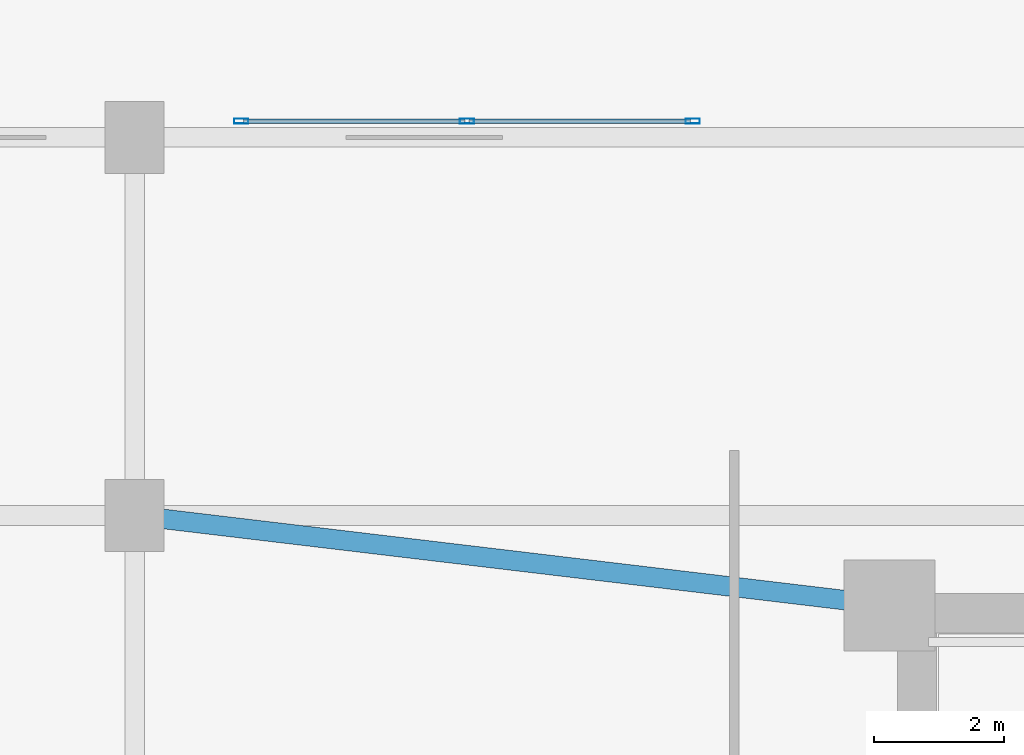
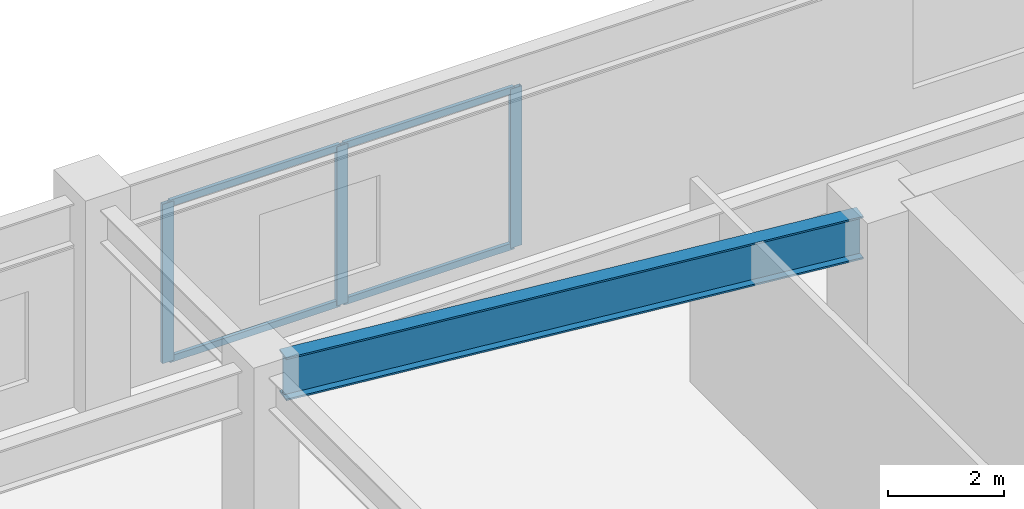
# One storey, part 2 of 10: 7 members, 1 beam, 1 element without a shape of its own.
"""IFC4 building model written with IfcOpenShell, lengths in metres."""

from ifc_helpers import new_model, si_unit, direction, frame, origin, origin_2d, place, context, subcontext, project, spatial, hollow_rectangle, i_section, extrude, material, layer, layer_set, material_profile, profile_set, type_object, element, aggregate, save


model = new_model("IFC4")

# Units and contexts
model_context = context("Model", 3, precision=1e-05, world=origin(), true_north=direction((0.0, 1.0)))
body_context = subcontext(model_context, "Body", "Model", "MODEL_VIEW")
ifc_project = project(units=[si_unit("LENGTHUNIT", "METRE"), si_unit("AREAUNIT", "SQUARE_METRE"), si_unit("VOLUMEUNIT", "CUBIC_METRE"), si_unit("PLANEANGLEUNIT", "RADIAN"), si_unit("MASSUNIT", "GRAM", prefix="KILO")], contexts=[model_context])

# Site, building, storey
site_placement = place(None, origin())
site = spatial("IfcSite", under=ifc_project, at=site_placement, CompositionType="ELEMENT")
building_placement = place(site_placement, origin())
building = spatial("IfcBuilding", under=site, at=building_placement, Name="Varnakorn Sky Granary", CompositionType="ELEMENT")
storey_placement = place(building_placement, frame((0.0, 0.0, 13.800048828125)))
storey = spatial("IfcBuildingStorey", under=building, at=storey_placement, Name="L03", CompositionType="ELEMENT", Elevation=13.800048828125)

# Beam
ifc_material_1 = material(Name="Steel S355JR", Category="steel")
ifc_material_profile_1 = material_profile(ifc_material_1, i_section(OverallWidth=0.300048828125, OverallDepth=0.89990234375, WebThickness=0.0185546875, FlangeThickness=0.034912109375, at=origin_2d()), Name="HE 900 B")
ifc_profile_set_1 = profile_set([ifc_material_profile_1], Name="Steel S355JR")
beam_type = type_object("IfcBeamType", Name="BM-PG-900", PredefinedType="BEAM", material=ifc_profile_set_1)
beam_placement = place(storey_placement, frame((-13.5830078125, 13.9501953125, 3.829833984375), z_axis=(0.992975027395, -0.118324109839, 0.0), x_axis=(0.118324109839, 0.992975027395, 0.0)))
element("IfcBeam", 1, at=beam_placement, inside=storey, type_object=beam_type, Name="Podium Core Tie Girder 1 L03", PredefinedType="BEAM", context=body_context, shape_type="SweptSolid", body=[
    extrude(i_section(OverallWidth=0.300048828125, OverallDepth=0.89990234375, WebThickness=0.0185546875, FlangeThickness=0.034912109375, at=origin_2d()), origin(), (0.0, 0.0, 1.0), 10.822021484375),
])

# Curtain wall, members
ifc_material_2 = material(Name="Anodised Bronze Aluminium Alloy 6063-T6", Category="aluminium")
ifc_layer = layer(ifc_material_2, 0.2099609375, Name="Anodised Bronze Aluminium Alloy 6063-T6")
ifc_layer_set = layer_set([ifc_layer], Name="Anodised Bronze Aluminium Alloy 6063-T6")
curtain_wall_type = type_object("IfcCurtainWallType", Name="CW-POD-2", PredefinedType="USERDEFINED", material=ifc_layer_set)
curtain_wall_placement = place(storey_placement, origin())
curtain_wall = element("IfcCurtainWall", 2, at=curtain_wall_placement, inside=storey, type_object=curtain_wall_type, Name="Unitised Curtain Wall CW2 CW-L03-P1", ObjectType="CURTAIN WALL", PredefinedType="USERDEFINED")
ifc_material_profile_2 = material_profile(ifc_material_2, hollow_rectangle(XDim=0.074951171875, YDim=0.219970703125, WallThickness=0.00390625, at=origin_2d()), Name="ALU MULL 75x220")
ifc_profile_set_2 = profile_set([ifc_material_profile_2], Name="Anodised Bronze Aluminium Alloy 6063-T6")
member_type_1 = type_object("IfcMemberType", Name="CW-POD-2-MULL", PredefinedType="MULLION", material=ifc_profile_set_2)
member_1_placement = place(storey_placement, frame((-12.362548828125, 20.050048828125, 0.0), z_axis=(0.0, 0.0, 1.0), x_axis=(0.0, 1.0, 0.0)))
member_1 = element("IfcMember", 3, at=member_1_placement, type_object=member_type_1, Name="CW2 mullion 1", PredefinedType="MULLION", context=body_context, shape_type="SweptSolid", body=[
    extrude(hollow_rectangle(XDim=0.074951171875, YDim=0.219970703125, WallThickness=0.00390625, at=origin_2d()), origin(), (0.0, 0.0, 1.0), 3.349853515625),
])
member_2_placement = place(storey_placement, frame((-8.89990234375, 20.050048828125, 0.0), z_axis=(0.0, 0.0, 1.0), x_axis=(0.0, 1.0, 0.0)))
member_2 = element("IfcMember", 4, at=member_2_placement, type_object=member_type_1, Name="CW2 mullion 2", PredefinedType="MULLION", context=body_context, shape_type="SweptSolid", body=[
    extrude(hollow_rectangle(XDim=0.074951171875, YDim=0.219970703125, WallThickness=0.00390625, at=origin_2d()), origin(), (0.0, 0.0, 1.0), 3.349853515625),
])
member_3_placement = place(storey_placement, frame((-5.4375, 20.050048828125, 0.0), z_axis=(0.0, 0.0, 1.0), x_axis=(0.0, 1.0, 0.0)))
member_3 = element("IfcMember", 5, at=member_3_placement, type_object=member_type_1, Name="CW2 mullion 3", PredefinedType="MULLION", context=body_context, shape_type="SweptSolid", body=[
    extrude(hollow_rectangle(XDim=0.074951171875, YDim=0.219970703125, WallThickness=0.00390625, at=origin_2d()), origin(), (0.0, 0.0, 1.0), 3.349853515625),
])
ifc_material_profile_3 = material_profile(ifc_material_2, hollow_rectangle(XDim=0.070068359375, YDim=0.139892578125, WallThickness=0.00341796875, at=origin_2d()), Name="ALU TRAN 70x140")
ifc_profile_set_3 = profile_set([ifc_material_profile_3], Name="Anodised Bronze Aluminium Alloy 6063-T6")
member_type_2 = type_object("IfcMemberType", Name="CW-POD-2-TRAN", PredefinedType="USERDEFINED", material=ifc_profile_set_3)
member_4_placement = place(storey_placement, frame((-12.324951171875, 20.050048828125, 0.034912109375), z_axis=(1.0, 0.0, 0.0), x_axis=(0.0, 1.0, 0.0)))
member_4 = element("IfcMember", 6, at=member_4_placement, type_object=member_type_2, Name="CW2 transom 1.1", ObjectType="TRANSOM", PredefinedType="USERDEFINED", context=body_context, shape_type="SweptSolid", body=[
    extrude(hollow_rectangle(XDim=0.070068359375, YDim=0.139892578125, WallThickness=0.00341796875, at=origin_2d()), origin(), (0.0, 0.0, 1.0), 3.387451171875),
])
member_5_placement = place(storey_placement, frame((-12.324951171875, 20.050048828125, 3.31494140625), z_axis=(1.0, 0.0, 0.0), x_axis=(0.0, 1.0, 0.0)))
member_5 = element("IfcMember", 7, at=member_5_placement, type_object=member_type_2, Name="CW2 transom 1.2", ObjectType="TRANSOM", PredefinedType="USERDEFINED", context=body_context, shape_type="SweptSolid", body=[
    extrude(hollow_rectangle(XDim=0.070068359375, YDim=0.139892578125, WallThickness=0.00341796875, at=origin_2d()), origin(), (0.0, 0.0, 1.0), 3.387451171875),
])
member_6_placement = place(storey_placement, frame((-8.862548828125, 20.050048828125, 0.034912109375), z_axis=(1.0, 0.0, 0.0), x_axis=(0.0, 1.0, 0.0)))
member_6 = element("IfcMember", 8, at=member_6_placement, type_object=member_type_2, Name="CW2 transom 2.1", ObjectType="TRANSOM", PredefinedType="USERDEFINED", context=body_context, shape_type="SweptSolid", body=[
    extrude(hollow_rectangle(XDim=0.070068359375, YDim=0.139892578125, WallThickness=0.00341796875, at=origin_2d()), origin(), (0.0, 0.0, 1.0), 3.387451171875),
])
member_7_placement = place(storey_placement, frame((-8.862548828125, 20.050048828125, 3.31494140625), z_axis=(1.0, 0.0, 0.0), x_axis=(0.0, 1.0, 0.0)))
member_7 = element("IfcMember", 9, at=member_7_placement, type_object=member_type_2, Name="CW2 transom 2.2", ObjectType="TRANSOM", PredefinedType="USERDEFINED", context=body_context, shape_type="SweptSolid", body=[
    extrude(hollow_rectangle(XDim=0.070068359375, YDim=0.139892578125, WallThickness=0.00341796875, at=origin_2d()), origin(), (0.0, 0.0, 1.0), 3.387451171875),
])
aggregate(curtain_wall, [member_1, member_2, member_3, member_4, member_5, member_6, member_7])

save(model, "model.ifc")
